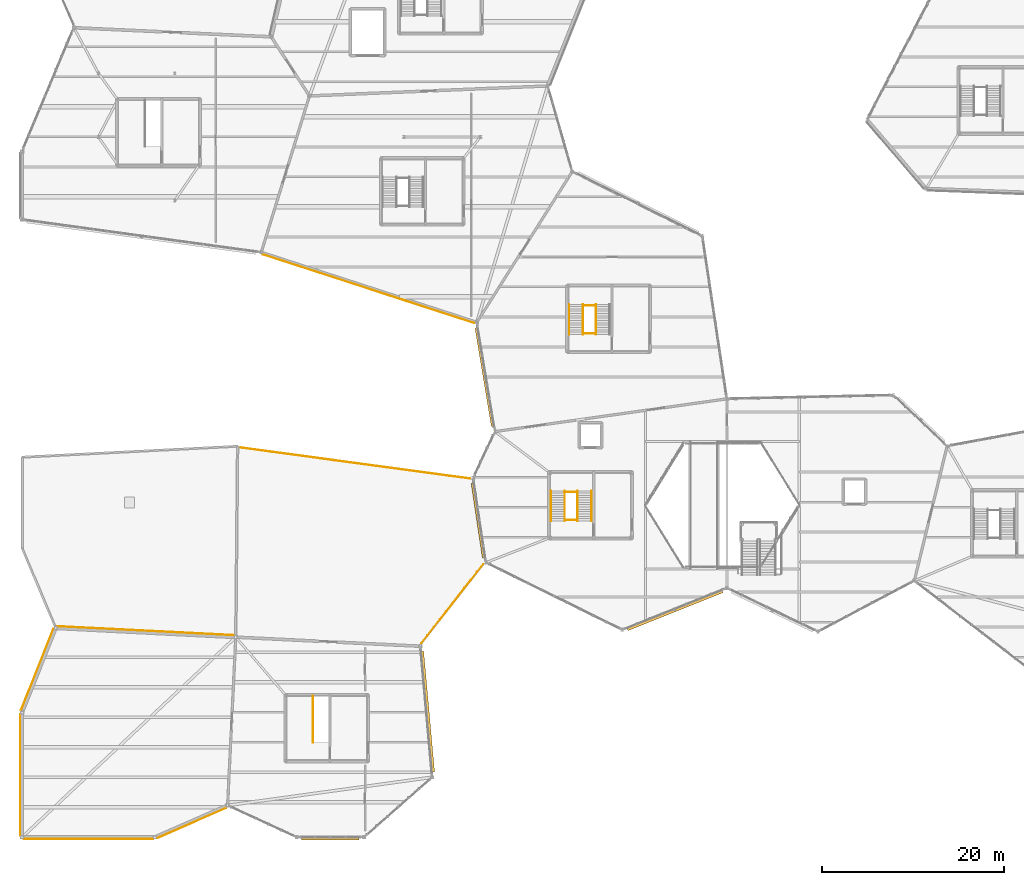
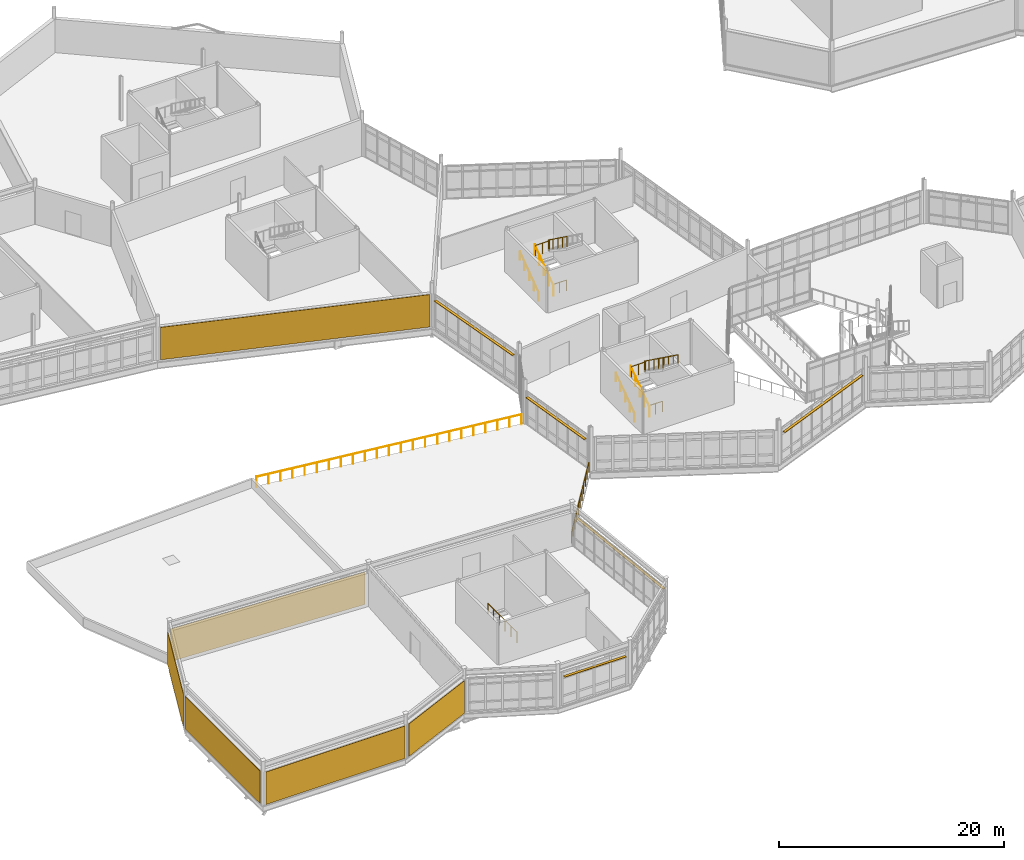
# One storey, part 107 of 114: 14 railings, 6 coverings, 5 shading devices.
"""IFC4 building model written with IfcOpenShell, lengths in metres."""

from ifc_helpers import new_model, si_unit, direction, frame, frame_2d, origin, origin_2d, place, context, subcontext, project, spatial, rectangle, circle, extrude, material, layer, layer_set, type_object, element, save


model = new_model("IFC4")

# Units and contexts
model_context = context("Model", 3, precision=1e-05, world=origin(), true_north=direction((0.0, 1.0)))
body_context = subcontext(model_context, "Body", "Model", "MODEL_VIEW")
ifc_project = project(units=[si_unit("LENGTHUNIT", "METRE"), si_unit("AREAUNIT", "SQUARE_METRE"), si_unit("VOLUMEUNIT", "CUBIC_METRE"), si_unit("PLANEANGLEUNIT", "RADIAN"), si_unit("MASSUNIT", "GRAM", prefix="KILO")], contexts=[model_context])

# Site, building, storey
site_placement = place(None, origin())
site = spatial("IfcSite", under=ifc_project, at=site_placement, CompositionType="ELEMENT")
building_placement = place(site_placement, origin())
building = spatial("IfcBuilding", under=site, at=building_placement, Name="Tameran Prism Museum", CompositionType="ELEMENT")
storey_placement = place(building_placement, frame((0.0, 0.0, 10.199951171875)))
storey = spatial("IfcBuildingStorey", under=building, at=storey_placement, Name="L02", CompositionType="ELEMENT", Elevation=10.199951171875)

# Coverings
ifc_material_1 = material(Name="White Fluted Mineral Precast GRC", Category="concrete")
ifc_layer_1 = layer(ifc_material_1, 0.044921875)
ifc_layer_set_1 = layer_set([ifc_layer_1])
covering_type = type_object("IfcCoveringType", Name="CV-FLUTE-WHT", PredefinedType="CLADDING", material=ifc_layer_set_1)
covering_1_placement = place(storey_placement, frame((3.889892578125, 23.19091796875, 0.050048828125), z_axis=(0.0, 0.0, 1.0), x_axis=(0.998726510416, -0.050451535087, 0.0)))
element("IfcCovering", 1, at=covering_1_placement, inside=storey, type_object=covering_type, Name="Vertical Fluted White Precast Panel CL-0037", PredefinedType="CLADDING", context=body_context, shape_type="SweptSolid", body=[
    extrude(rectangle(XDim=19.40478515625, YDim=0.044921875, at=frame_2d((9.702392578125, 0.0))), origin(), (0.0, 0.0, 1.0), 3.52001953125),
])
covering_2_placement = place(storey_placement, frame((-0.118896484375, 13.94091796875, 0.050048828125), z_axis=(0.0, 0.0, 1.0), x_axis=(0.36964513565, 0.929173005253, 0.0)))
element("IfcCovering", 2, at=covering_2_placement, inside=storey, type_object=covering_type, Name="Vertical Fluted White Precast Panel CL-0038", PredefinedType="CLADDING", context=body_context, shape_type="SweptSolid", body=[
    extrude(rectangle(XDim=9.6494140625, YDim=0.044921875, at=frame_2d((4.82470703125, 0.0))), origin(), (0.0, 0.0, 1.0), 3.52001953125),
])
covering_3_placement = place(storey_placement, frame((-0.199951171875, 0.179931640625, 0.050048828125), z_axis=(0.0, 0.0, 1.0), x_axis=(0.0, 1.0, 0.0)))
element("IfcCovering", 3, at=covering_3_placement, inside=storey, type_object=covering_type, Name="Vertical Fluted White Precast Panel CL-0039", PredefinedType="CLADDING", context=body_context, shape_type="SweptSolid", body=[
    extrude(rectangle(XDim=13.340087890625, YDim=0.044921875, at=frame_2d((6.669921875, 0.0))), origin(), (0.0, 0.0, 1.0), 3.52001953125),
])
covering_4_placement = place(storey_placement, frame((14.419921875, -0.199951171875, 0.050048828125), z_axis=(0.0, 0.0, 1.0), x_axis=(-1.0, 0.0, 0.0)))
element("IfcCovering", 4, at=covering_4_placement, inside=storey, type_object=covering_type, Name="Vertical Fluted White Precast Panel CL-0040", PredefinedType="CLADDING", context=body_context, shape_type="SweptSolid", body=[
    extrude(rectangle(XDim=14.239990234375, YDim=0.044921875, at=frame_2d((7.1201171875, 0.0))), origin(), (0.0, 0.0, 1.0), 3.52001953125),
])
covering_5_placement = place(storey_placement, frame((22.4599609375, 3.220947265625, 0.050048828125), z_axis=(0.0, 0.0, 1.0), x_axis=(-0.916136436329, -0.400866598795, 0.0)))
element("IfcCovering", 5, at=covering_5_placement, inside=storey, type_object=covering_type, Name="Vertical Fluted White Precast Panel CL-0041", PredefinedType="CLADDING", context=body_context, shape_type="SweptSolid", body=[
    extrude(rectangle(XDim=8.31201171875, YDim=0.044921875, at=frame_2d((4.156005859375, 0.0))), origin(), (0.0, 0.0, 1.0), 3.52001953125),
])
covering_6_placement = place(storey_placement, frame((49.720947265625, 56.51806640625, 0.050048828125), z_axis=(0.0, 0.0, 1.0), x_axis=(-0.951084783476, 0.308929983394, 0.0)))
element("IfcCovering", 6, at=covering_6_placement, inside=storey, type_object=covering_type, Name="Vertical Fluted White Precast Panel CL-0042", PredefinedType="CLADDING", context=body_context, shape_type="SweptSolid", body=[
    extrude(rectangle(XDim=24.439453125, YDim=0.044921875, at=frame_2d((12.2197265625, 0.0))), origin(), (0.0, 0.0, 1.0), 3.52001953125),
])

# Railings
ifc_material_2 = material(Name="Marine Stainless Steel 316", Category="steel")
ifc_layer_2 = layer(ifc_material_2, 0.054931640625)
ifc_layer_set_2 = layer_set([ifc_layer_2])
railing_type_1 = type_object("IfcRailingType", Name="RL-GR-1120", PredefinedType="GUARDRAIL", material=ifc_layer_set_2)
railing_1_placement = place(storey_placement, frame((59.68994140625, 34.89990234375, 0.0)))
element("IfcRailing", 7, at=railing_1_placement, inside=storey, type_object=railing_type_1, Name="Stair Well Slot Guard GR-S096", PredefinedType="GUARDRAIL", context=body_context, shape_type="SweptSolid", body=[
    extrude(circle(Radius=0.02392578125, at=origin_2d()), frame((0.0, 0.0, 1.1259765625), z_axis=(1.0, 0.0, 0.0), x_axis=(0.0, 1.0, 0.0)), (0.0, 0.0, 1.0), 1.3701171875),
    extrude(circle(Radius=0.02099609375, at=origin_2d()), origin(), (0.0, 0.0, 1.0), 1.101806640625),
    extrude(circle(Radius=0.02099609375, at=origin_2d()), frame((0.68505859375, 0.0, 0.0)), (0.0, 0.0, 1.0), 1.101806640625),
    extrude(circle(Radius=0.02099609375, at=origin_2d()), frame((1.3701171875, 0.0, 0.0)), (0.0, 0.0, 1.0), 1.101806640625),
])
railing_2_placement = place(storey_placement, frame((59.669921875, 34.780029296875, 0.0)))
element("IfcRailing", 8, at=railing_2_placement, inside=storey, type_object=railing_type_1, Name="Stair Well Guardrail GR-S097", PredefinedType="GUARDRAIL", context=body_context, shape_type="SweptSolid", body=[
    extrude(circle(Radius=0.02392578125, at=origin_2d()), frame((0.0, 0.0, 1.1259765625), z_axis=(0.0, 0.809980229442, 0.586457183359), x_axis=(-1.0, 0.0, 0.0)), (0.0, 0.0, 1.0), 4.092529296875),
    extrude(circle(Radius=0.02099609375, at=origin_2d()), origin(), (0.0, 0.0, 1.0), 1.101806640625),
    extrude(circle(Radius=0.02099609375, at=origin_2d()), frame((0.0, 0.82861328125, 0.60009765625)), (0.0, 0.0, 1.0), 1.101806640625),
    extrude(circle(Radius=0.02099609375, at=origin_2d()), frame((0.0, 1.657470703125, 1.2001953125)), (0.0, 0.0, 1.0), 1.101806640625),
    extrude(circle(Radius=0.02099609375, at=origin_2d()), frame((0.0, 2.486328125, 1.800048828125)), (0.0, 0.0, 1.0), 1.101806640625),
    extrude(circle(Radius=0.02099609375, at=origin_2d()), frame((0.0, 3.31494140625, 2.400146484375)), (0.0, 0.0, 1.0), 1.101806640625),
])
railing_3_placement = place(storey_placement, frame((61.080078125, 38.094970703125, 2.400146484375)))
element("IfcRailing", 9, at=railing_3_placement, inside=storey, type_object=railing_type_1, Name="Stair Well Guardrail GR-S098", PredefinedType="GUARDRAIL", context=body_context, shape_type="SweptSolid", body=[
    extrude(circle(Radius=0.02392578125, at=origin_2d()), frame((0.0, 0.0, 1.1259765625), z_axis=(0.0, -0.810008566192, 0.586418044312), x_axis=(1.0, 0.0, 0.0)), (0.0, 0.0, 1.0), 4.092529296875),
    extrude(circle(Radius=0.02099609375, at=origin_2d()), origin(), (0.0, 0.0, 1.0), 1.101806640625),
    extrude(circle(Radius=0.02099609375, at=origin_2d()), frame((0.0, -0.82861328125, 0.60009765625)), (0.0, 0.0, 1.0), 1.101806640625),
    extrude(circle(Radius=0.02099609375, at=origin_2d()), frame((0.0, -1.657470703125, 1.199951171875)), (0.0, 0.0, 1.0), 1.101806640625),
    extrude(circle(Radius=0.02099609375, at=origin_2d()), frame((0.0, -2.486328125, 1.7998046875)), (0.0, 0.0, 1.0), 1.101806640625),
    extrude(circle(Radius=0.02099609375, at=origin_2d()), frame((0.0, -3.31494140625, 2.39990234375)), (0.0, 0.0, 1.0), 1.101806640625),
])
railing_4_placement = place(storey_placement, frame((59.64990234375, 37.955078125, 2.400146484375)))
element("IfcRailing", 10, at=railing_4_placement, inside=storey, type_object=railing_type_1, Name="Landing Well Guardrail GR-S099", PredefinedType="GUARDRAIL", context=body_context, shape_type="SweptSolid", body=[
    extrude(circle(Radius=0.02392578125, at=origin_2d()), frame((0.0, 0.0, 1.1259765625), z_axis=(1.0, 0.0, 0.0), x_axis=(0.0, 1.0, 0.0)), (0.0, 0.0, 1.0), 1.4501953125),
    extrude(circle(Radius=0.02099609375, at=origin_2d()), origin(), (0.0, 0.0, 1.0), 1.101806640625),
    extrude(circle(Radius=0.02099609375, at=origin_2d()), frame((0.72509765625, 0.0, 0.0)), (0.0, 0.0, 1.0), 1.101806640625),
    extrude(circle(Radius=0.02099609375, at=origin_2d()), frame((1.4501953125, 0.0, 0.0)), (0.0, 0.0, 1.0), 1.101806640625),
])
railing_5_placement = place(storey_placement, frame((61.68994140625, 55.39990234375, 0.0)))
element("IfcRailing", 11, at=railing_5_placement, inside=storey, type_object=railing_type_1, Name="Stair Well Slot Guard GR-S116", PredefinedType="GUARDRAIL", context=body_context, shape_type="SweptSolid", body=[
    extrude(circle(Radius=0.02392578125, at=origin_2d()), frame((0.0, 0.0, 1.1259765625), z_axis=(1.0, 0.0, 0.0), x_axis=(0.0, 1.0, 0.0)), (0.0, 0.0, 1.0), 1.3701171875),
    extrude(circle(Radius=0.02099609375, at=origin_2d()), origin(), (0.0, 0.0, 1.0), 1.101806640625),
    extrude(circle(Radius=0.02099609375, at=origin_2d()), frame((0.68505859375, 0.0, 0.0)), (0.0, 0.0, 1.0), 1.101806640625),
    extrude(circle(Radius=0.02099609375, at=origin_2d()), frame((1.3701171875, 0.0, 0.0)), (0.0, 0.0, 1.0), 1.101806640625),
])
railing_6_placement = place(storey_placement, frame((61.669921875, 55.280029296875, 0.0)))
element("IfcRailing", 12, at=railing_6_placement, inside=storey, type_object=railing_type_1, Name="Stair Well Guardrail GR-S117", PredefinedType="GUARDRAIL", context=body_context, shape_type="SweptSolid", body=[
    extrude(circle(Radius=0.02392578125, at=origin_2d()), frame((0.0, 0.0, 1.1259765625), z_axis=(0.0, 0.809980229442, 0.586457183359), x_axis=(-1.0, 0.0, 0.0)), (0.0, 0.0, 1.0), 4.092529296875),
    extrude(circle(Radius=0.02099609375, at=origin_2d()), origin(), (0.0, 0.0, 1.0), 1.101806640625),
    extrude(circle(Radius=0.02099609375, at=origin_2d()), frame((0.0, 0.82861328125, 0.60009765625)), (0.0, 0.0, 1.0), 1.101806640625),
    extrude(circle(Radius=0.02099609375, at=origin_2d()), frame((0.0, 1.657470703125, 1.2001953125)), (0.0, 0.0, 1.0), 1.101806640625),
    extrude(circle(Radius=0.02099609375, at=origin_2d()), frame((0.0, 2.486328125, 1.800048828125)), (0.0, 0.0, 1.0), 1.101806640625),
    extrude(circle(Radius=0.02099609375, at=origin_2d()), frame((0.0, 3.31494140625, 2.400146484375)), (0.0, 0.0, 1.0), 1.101806640625),
])
railing_7_placement = place(storey_placement, frame((63.080078125, 58.594970703125, 2.400146484375)))
element("IfcRailing", 13, at=railing_7_placement, inside=storey, type_object=railing_type_1, Name="Stair Well Guardrail GR-S118", PredefinedType="GUARDRAIL", context=body_context, shape_type="SweptSolid", body=[
    extrude(circle(Radius=0.02392578125, at=origin_2d()), frame((0.0, 0.0, 1.1259765625), z_axis=(0.0, -0.810008566192, 0.586418044312), x_axis=(1.0, 0.0, 0.0)), (0.0, 0.0, 1.0), 4.092529296875),
    extrude(circle(Radius=0.02099609375, at=origin_2d()), origin(), (0.0, 0.0, 1.0), 1.101806640625),
    extrude(circle(Radius=0.02099609375, at=origin_2d()), frame((0.0, -0.82861328125, 0.60009765625)), (0.0, 0.0, 1.0), 1.101806640625),
    extrude(circle(Radius=0.02099609375, at=origin_2d()), frame((0.0, -1.657470703125, 1.199951171875)), (0.0, 0.0, 1.0), 1.101806640625),
    extrude(circle(Radius=0.02099609375, at=origin_2d()), frame((0.0, -2.486328125, 1.7998046875)), (0.0, 0.0, 1.0), 1.101806640625),
    extrude(circle(Radius=0.02099609375, at=origin_2d()), frame((0.0, -3.31494140625, 2.39990234375)), (0.0, 0.0, 1.0), 1.101806640625),
])
railing_8_placement = place(storey_placement, frame((61.64990234375, 58.455078125, 2.400146484375)))
element("IfcRailing", 14, at=railing_8_placement, inside=storey, type_object=railing_type_1, Name="Landing Well Guardrail GR-S119", PredefinedType="GUARDRAIL", context=body_context, shape_type="SweptSolid", body=[
    extrude(circle(Radius=0.02392578125, at=origin_2d()), frame((0.0, 0.0, 1.1259765625), z_axis=(1.0, 0.0, 0.0), x_axis=(0.0, 1.0, 0.0)), (0.0, 0.0, 1.0), 1.4501953125),
    extrude(circle(Radius=0.02099609375, at=origin_2d()), origin(), (0.0, 0.0, 1.0), 1.101806640625),
    extrude(circle(Radius=0.02099609375, at=origin_2d()), frame((0.72509765625, 0.0, 0.0)), (0.0, 0.0, 1.0), 1.101806640625),
    extrude(circle(Radius=0.02099609375, at=origin_2d()), frame((1.4501953125, 0.0, 0.0)), (0.0, 0.0, 1.0), 1.101806640625),
])
railing_9_placement = place(storey_placement, frame((32.010009765625, 10.419921875, 0.0)))
element("IfcRailing", 15, at=railing_9_placement, inside=storey, type_object=railing_type_1, Name="Stair Well Slot Guard GR-S160", PredefinedType="GUARDRAIL", context=body_context, shape_type="SweptSolid", body=[
    extrude(circle(Radius=0.02392578125, at=origin_2d()), frame((0.0, 0.0, 1.1259765625), z_axis=(0.0, 1.0, 0.0), x_axis=(-1.0, 0.0, 0.0)), (0.0, 0.0, 1.0), 5.130126953125),
    extrude(circle(Radius=0.02099609375, at=origin_2d()), origin(), (0.0, 0.0, 1.0), 1.101806640625),
    extrude(circle(Radius=0.02099609375, at=origin_2d()), frame((0.0, 1.026123046875, 0.0)), (0.0, 0.0, 1.0), 1.101806640625),
    extrude(circle(Radius=0.02099609375, at=origin_2d()), frame((0.0, 2.052001953125, 0.0)), (0.0, 0.0, 1.0), 1.101806640625),
    extrude(circle(Radius=0.02099609375, at=origin_2d()), frame((0.0, 3.078125, 0.0)), (0.0, 0.0, 1.0), 1.101806640625),
    extrude(circle(Radius=0.02099609375, at=origin_2d()), frame((0.0, 4.10400390625, 0.0)), (0.0, 0.0, 1.0), 1.101806640625),
    extrude(circle(Radius=0.02099609375, at=origin_2d()), frame((0.0, 5.130126953125, 0.0)), (0.0, 0.0, 1.0), 1.101806640625),
])
ifc_material_3 = material(Name="Brushed Stainless Steel 316", Category="steel")
ifc_layer_3 = layer(ifc_material_3, 0.048095703125)
ifc_layer_set_3 = layer_set([ifc_layer_3])
railing_type_2 = type_object("IfcRailingType", Name="RL-HR-920", PredefinedType="HANDRAIL", material=ifc_layer_set_3)
railing_10_placement = place(storey_placement, frame((58.159912109375, 34.780029296875, 0.0)))
element("IfcRailing", 16, at=railing_10_placement, inside=storey, type_object=railing_type_2, Name="Stair Flight Handrail HR-049", PredefinedType="HANDRAIL", context=body_context, shape_type="SweptSolid", body=[
    extrude(circle(Radius=0.02392578125, at=origin_2d()), frame((0.0, 0.0, 0.89599609375), z_axis=(0.0, 0.809980229442, 0.586457183359), x_axis=(-1.0, 0.0, 0.0)), (0.0, 0.0, 1.0), 4.092529296875),
    extrude(circle(Radius=0.02099609375, at=origin_2d()), origin(), (0.0, 0.0, 1.0), 0.871826171875),
    extrude(circle(Radius=0.02099609375, at=origin_2d()), frame((0.0, 0.82861328125, 0.60009765625)), (0.0, 0.0, 1.0), 0.871826171875),
    extrude(circle(Radius=0.02099609375, at=origin_2d()), frame((0.0, 1.657470703125, 1.2001953125)), (0.0, 0.0, 1.0), 0.871826171875),
    extrude(circle(Radius=0.02099609375, at=origin_2d()), frame((0.0, 2.486328125, 1.800048828125)), (0.0, 0.0, 1.0), 0.871826171875),
    extrude(circle(Radius=0.02099609375, at=origin_2d()), frame((0.0, 3.31494140625, 2.400146484375)), (0.0, 0.0, 1.0), 0.871826171875),
])
railing_11_placement = place(storey_placement, frame((62.590087890625, 38.094970703125, 2.400146484375)))
element("IfcRailing", 17, at=railing_11_placement, inside=storey, type_object=railing_type_2, Name="Stair Flight Handrail HR-050", PredefinedType="HANDRAIL", context=body_context, shape_type="SweptSolid", body=[
    extrude(circle(Radius=0.02392578125, at=origin_2d()), frame((0.0, 0.0, 0.89599609375), z_axis=(0.0, -0.810008566192, 0.586418044312), x_axis=(1.0, 0.0, 0.0)), (0.0, 0.0, 1.0), 4.092529296875),
    extrude(circle(Radius=0.02099609375, at=origin_2d()), origin(), (0.0, 0.0, 1.0), 0.871826171875),
    extrude(circle(Radius=0.02099609375, at=origin_2d()), frame((0.0, -0.82861328125, 0.60009765625)), (0.0, 0.0, 1.0), 0.871826171875),
    extrude(circle(Radius=0.02099609375, at=origin_2d()), frame((0.0, -1.657470703125, 1.199951171875)), (0.0, 0.0, 1.0), 0.871826171875),
    extrude(circle(Radius=0.02099609375, at=origin_2d()), frame((0.0, -2.486328125, 1.7998046875)), (0.0, 0.0, 1.0), 0.871826171875),
    extrude(circle(Radius=0.02099609375, at=origin_2d()), frame((0.0, -3.31494140625, 2.39990234375)), (0.0, 0.0, 1.0), 0.871826171875),
])
railing_12_placement = place(storey_placement, frame((60.159912109375, 55.280029296875, 0.0)))
element("IfcRailing", 18, at=railing_12_placement, inside=storey, type_object=railing_type_2, Name="Stair Flight Handrail HR-059", PredefinedType="HANDRAIL", context=body_context, shape_type="SweptSolid", body=[
    extrude(circle(Radius=0.02392578125, at=origin_2d()), frame((0.0, 0.0, 0.89599609375), z_axis=(0.0, 0.809980229442, 0.586457183359), x_axis=(-1.0, 0.0, 0.0)), (0.0, 0.0, 1.0), 4.092529296875),
    extrude(circle(Radius=0.02099609375, at=origin_2d()), origin(), (0.0, 0.0, 1.0), 0.871826171875),
    extrude(circle(Radius=0.02099609375, at=origin_2d()), frame((0.0, 0.82861328125, 0.60009765625)), (0.0, 0.0, 1.0), 0.871826171875),
    extrude(circle(Radius=0.02099609375, at=origin_2d()), frame((0.0, 1.657470703125, 1.2001953125)), (0.0, 0.0, 1.0), 0.871826171875),
    extrude(circle(Radius=0.02099609375, at=origin_2d()), frame((0.0, 2.486328125, 1.800048828125)), (0.0, 0.0, 1.0), 0.871826171875),
    extrude(circle(Radius=0.02099609375, at=origin_2d()), frame((0.0, 3.31494140625, 2.400146484375)), (0.0, 0.0, 1.0), 0.871826171875),
])
ifc_material_4 = material(Name="Marine Stainless Steel 316", Category="steel")
ifc_layer_4 = layer(ifc_material_4, 0.06005859375)
ifc_layer_set_4 = layer_set([ifc_layer_4])
railing_type_3 = type_object("IfcRailingType", Name="RL-TER-1120", PredefinedType="GUARDRAIL", material=ifc_layer_set_4)
railing_13_placement = place(storey_placement, frame((43.907958984375, 21.3330078125, 0.0)))
element("IfcRailing", 19, at=railing_13_placement, inside=storey, type_object=railing_type_3, Name="Terrace Guardrail GR-T017", PredefinedType="GUARDRAIL", context=body_context, shape_type="SweptSolid", body=[
    extrude(circle(Radius=0.02392578125, at=origin_2d()), frame((0.0, 0.0, 1.09619140625), z_axis=(0.616277214594, 0.787529297723, 0.0), x_axis=(-0.787529297723, 0.616277214594, 0.0)), (0.0, 0.0, 1.0), 11.025634765625),
    extrude(circle(Radius=0.02099609375, at=origin_2d()), origin(), (0.0, 0.0, 1.0), 1.072021484375),
    extrude(circle(Radius=0.02099609375, at=origin_2d()), frame((0.679443359375, 0.868408203125, 0.0)), (0.0, 0.0, 1.0), 1.072021484375),
    extrude(circle(Radius=0.02099609375, at=origin_2d()), frame((1.35888671875, 1.736572265625, 0.0)), (0.0, 0.0, 1.0), 1.072021484375),
    extrude(circle(Radius=0.02099609375, at=origin_2d()), frame((2.03857421875, 2.60498046875, 0.0)), (0.0, 0.0, 1.0), 1.072021484375),
    extrude(circle(Radius=0.02099609375, at=origin_2d()), frame((2.718017578125, 3.47314453125, 0.0)), (0.0, 0.0, 1.0), 1.072021484375),
    extrude(circle(Radius=0.02099609375, at=origin_2d()), frame((3.3974609375, 4.341552734375, 0.0)), (0.0, 0.0, 1.0), 1.072021484375),
    extrude(circle(Radius=0.02099609375, at=origin_2d()), frame((4.076904296875, 5.2099609375, 0.0)), (0.0, 0.0, 1.0), 1.072021484375),
    extrude(circle(Radius=0.02099609375, at=origin_2d()), frame((4.75634765625, 6.078125, 0.0)), (0.0, 0.0, 1.0), 1.072021484375),
    extrude(circle(Radius=0.02099609375, at=origin_2d()), frame((5.43603515625, 6.946533203125, 0.0)), (0.0, 0.0, 1.0), 1.072021484375),
    extrude(circle(Radius=0.02099609375, at=origin_2d()), frame((6.115478515625, 7.814697265625, 0.0)), (0.0, 0.0, 1.0), 1.072021484375),
    extrude(circle(Radius=0.02099609375, at=origin_2d()), frame((6.794921875, 8.68310546875, 0.0)), (0.0, 0.0, 1.0), 1.072021484375),
])
railing_14_placement = place(storey_placement, frame((49.257080078125, 39.425048828125, 0.0)))
element("IfcRailing", 20, at=railing_14_placement, inside=storey, type_object=railing_type_3, Name="Terrace Guardrail GR-T018", PredefinedType="GUARDRAIL", context=body_context, shape_type="SweptSolid", body=[
    extrude(circle(Radius=0.02392578125, at=origin_2d()), frame((0.0, 0.0, 1.09619140625), z_axis=(-0.990990536991, 0.133931906559, 0.0), x_axis=(-0.133931906559, -0.990990536991, 0.0)), (0.0, 0.0, 1.0), 25.438232421875),
    extrude(circle(Radius=0.02099609375, at=origin_2d()), origin(), (0.0, 0.0, 1.0), 1.072021484375),
    extrude(circle(Radius=0.02099609375, at=origin_2d()), frame((-1.145751953125, 0.15478515625, 0.0)), (0.0, 0.0, 1.0), 1.072021484375),
    extrude(circle(Radius=0.02099609375, at=origin_2d()), frame((-2.291748046875, 0.309814453125, 0.0)), (0.0, 0.0, 1.0), 1.072021484375),
    extrude(circle(Radius=0.02099609375, at=origin_2d()), frame((-3.4375, 0.464599609375, 0.0)), (0.0, 0.0, 1.0), 1.072021484375),
    extrude(circle(Radius=0.02099609375, at=origin_2d()), frame((-4.58349609375, 0.619384765625, 0.0)), (0.0, 0.0, 1.0), 1.072021484375),
    extrude(circle(Radius=0.02099609375, at=origin_2d()), frame((-5.729248046875, 0.7744140625, 0.0)), (0.0, 0.0, 1.0), 1.072021484375),
    extrude(circle(Radius=0.02099609375, at=origin_2d()), frame((-6.875244140625, 0.92919921875, 0.0)), (0.0, 0.0, 1.0), 1.072021484375),
    extrude(circle(Radius=0.02099609375, at=origin_2d()), frame((-8.02099609375, 1.083984375, 0.0)), (0.0, 0.0, 1.0), 1.072021484375),
    extrude(circle(Radius=0.02099609375, at=origin_2d()), frame((-9.1669921875, 1.239013671875, 0.0)), (0.0, 0.0, 1.0), 1.072021484375),
    extrude(circle(Radius=0.02099609375, at=origin_2d()), frame((-10.312744140625, 1.393798828125, 0.0)), (0.0, 0.0, 1.0), 1.072021484375),
    extrude(circle(Radius=0.02099609375, at=origin_2d()), frame((-11.458740234375, 1.548583984375, 0.0)), (0.0, 0.0, 1.0), 1.072021484375),
    extrude(circle(Radius=0.02099609375, at=origin_2d()), frame((-12.6044921875, 1.70361328125, 0.0)), (0.0, 0.0, 1.0), 1.072021484375),
    extrude(circle(Radius=0.02099609375, at=origin_2d()), frame((-13.750244140625, 1.8583984375, 0.0)), (0.0, 0.0, 1.0), 1.072021484375),
    extrude(circle(Radius=0.02099609375, at=origin_2d()), frame((-14.896240234375, 2.01318359375, 0.0)), (0.0, 0.0, 1.0), 1.072021484375),
    extrude(circle(Radius=0.02099609375, at=origin_2d()), frame((-16.0419921875, 2.16796875, 0.0)), (0.0, 0.0, 1.0), 1.072021484375),
    extrude(circle(Radius=0.02099609375, at=origin_2d()), frame((-17.18798828125, 2.322998046875, 0.0)), (0.0, 0.0, 1.0), 1.072021484375),
    extrude(circle(Radius=0.02099609375, at=origin_2d()), frame((-18.333740234375, 2.477783203125, 0.0)), (0.0, 0.0, 1.0), 1.072021484375),
    extrude(circle(Radius=0.02099609375, at=origin_2d()), frame((-19.479736328125, 2.632568359375, 0.0)), (0.0, 0.0, 1.0), 1.072021484375),
    extrude(circle(Radius=0.02099609375, at=origin_2d()), frame((-20.62548828125, 2.78759765625, 0.0)), (0.0, 0.0, 1.0), 1.072021484375),
    extrude(circle(Radius=0.02099609375, at=origin_2d()), frame((-21.771484375, 2.9423828125, 0.0)), (0.0, 0.0, 1.0), 1.072021484375),
    extrude(circle(Radius=0.02099609375, at=origin_2d()), frame((-22.917236328125, 3.09716796875, 0.0)), (0.0, 0.0, 1.0), 1.072021484375),
    extrude(circle(Radius=0.02099609375, at=origin_2d()), frame((-24.063232421875, 3.252197265625, 0.0)), (0.0, 0.0, 1.0), 1.072021484375),
    extrude(circle(Radius=0.02099609375, at=origin_2d()), frame((-25.208984375, 3.406982421875, 0.0)), (0.0, 0.0, 1.0), 1.072021484375),
])

# Shading devices
ifc_material_5 = material(Name="Anodised Aluminium Alloy 6063-T6", Category="aluminium")
ifc_layer_5 = layer(ifc_material_5, 0.044921875)
ifc_layer_set_5 = layer_set([ifc_layer_5])
shading_device_type_1 = type_object("IfcShadingDeviceType", Name="SH-JAL-240", PredefinedType="JALOUSIE", material=ifc_layer_set_5)
shading_device_1_placement = place(storey_placement, frame((71.7890625, 24.922119140625, 3.14013671875), z_axis=(0.0, 0.0, 1.0), x_axis=(-0.928485826881, -0.37136783555, 0.0)))
element("IfcShadingDevice", 21, at=shading_device_1_placement, inside=storey, type_object=shading_device_type_1, Name="Monsoon Storm Louvre SLV-044", PredefinedType="JALOUSIE", context=body_context, shape_type="SweptSolid", body=[
    extrude(rectangle(XDim=11.22607421875, YDim=0.260009765625, at=origin_2d()), origin(), (0.0, 0.0, 1.0), 0.06005859375),
])
shading_device_2_placement = place(storey_placement, frame((44.62890625, 13.81591796875, 3.14013671875), z_axis=(0.0, 0.0, 1.0), x_axis=(0.089937299699, -0.995947429397, 0.0)))
element("IfcShadingDevice", 22, at=shading_device_2_placement, inside=storey, type_object=shading_device_type_1, Name="Monsoon Storm Louvre SLV-052", PredefinedType="JALOUSIE", context=body_context, shape_type="SweptSolid", body=[
    extrude(rectangle(XDim=13.35888671875, YDim=0.260009765625, at=origin_2d()), origin(), (0.0, 0.0, 1.0), 0.06005859375),
])
ifc_material_6 = material(Name="Anodised Aluminium Alloy 6063-T6", Category="aluminium")
ifc_layer_6 = layer(ifc_material_6, 0.050048828125)
ifc_layer_set_6 = layer_set([ifc_layer_6])
shading_device_type_2 = type_object("IfcShadingDeviceType", Name="SH-LOUV-300", PredefinedType="SHUTTER", material=ifc_layer_set_6)
shading_device_3_placement = place(storey_placement, frame((50.1220703125, 34.822998046875, 3.14013671875), z_axis=(0.0, 0.0, 1.0), x_axis=(-0.148845024885, 0.988860535448, 0.0)))
element("IfcShadingDevice", 23, at=shading_device_3_placement, inside=storey, type_object=shading_device_type_2, Name="Monsoon Storm Louvre SLV-043", PredefinedType="SHUTTER", context=body_context, shape_type="SweptSolid", body=[
    extrude(rectangle(XDim=8.304931640625, YDim=0.260009765625, at=origin_2d()), origin(), (0.0, 0.0, 1.0), 0.06005859375),
])
shading_device_4_placement = place(storey_placement, frame((50.822021484375, 50.570068359375, 3.14013671875), z_axis=(0.0, 0.0, 1.0), x_axis=(-0.164359008451, 0.986400586142, 0.0)))
element("IfcShadingDevice", 24, at=shading_device_4_placement, inside=storey, type_object=shading_device_type_2, Name="Monsoon Storm Louvre SLV-047", PredefinedType="SHUTTER", context=body_context, shape_type="SweptSolid", body=[
    extrude(rectangle(XDim=10.946044921875, YDim=0.260009765625, at=origin_2d()), origin(), (0.0, 0.0, 1.0), 0.06005859375),
])
shading_device_5_placement = place(storey_placement, frame((33.89990234375, -0.179931640625, 3.14013671875), z_axis=(0.0, 0.0, 1.0), x_axis=(-1.0, 0.0, 0.0)))
element("IfcShadingDevice", 25, at=shading_device_5_placement, inside=storey, type_object=shading_device_type_2, Name="Monsoon Storm Louvre SLV-051", PredefinedType="SHUTTER", context=body_context, shape_type="SweptSolid", body=[
    extrude(rectangle(XDim=6.300048828125, YDim=0.260009765625, at=origin_2d()), origin(), (0.0, 0.0, 1.0), 0.06005859375),
])

save(model, "model.ifc")
